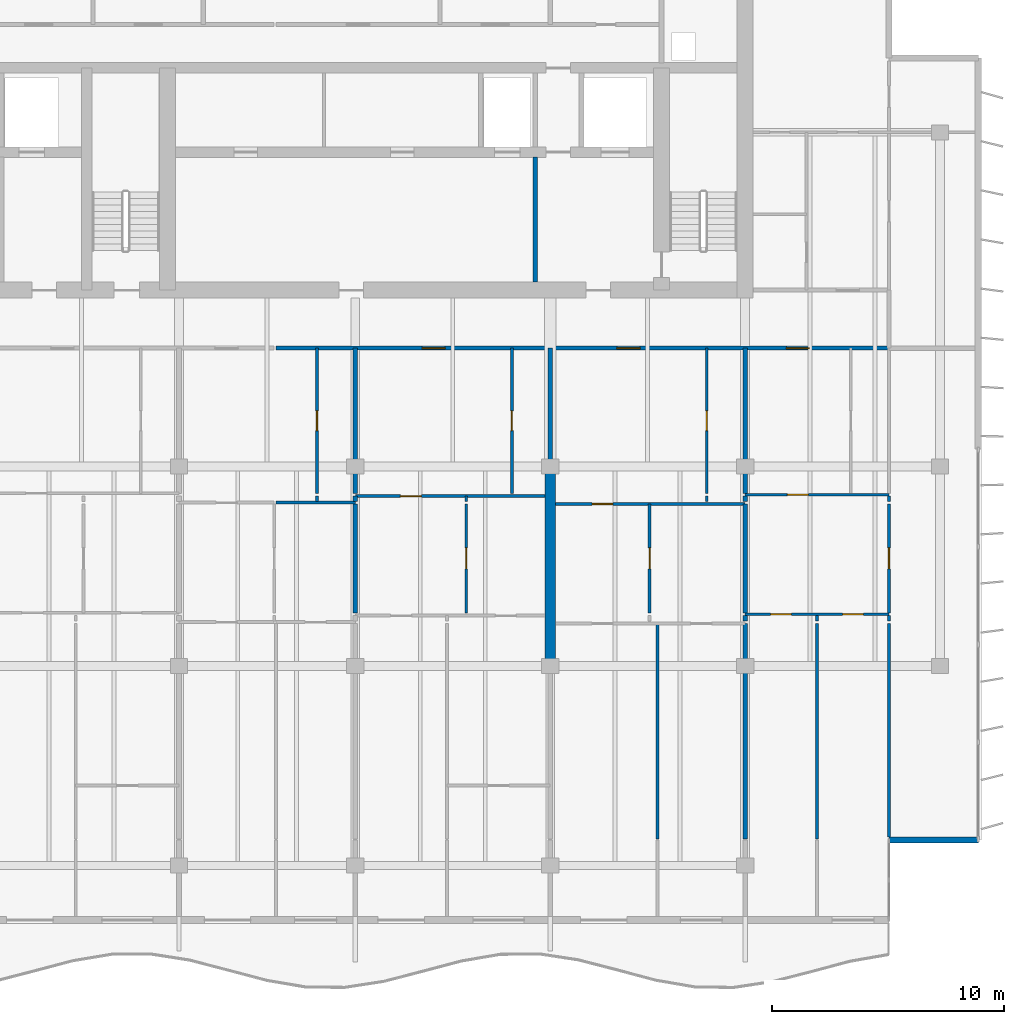
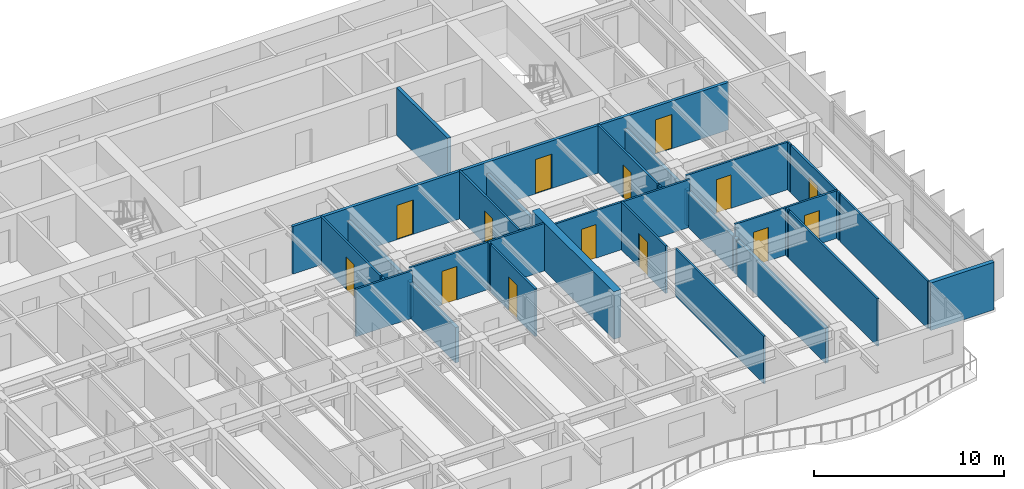
# One storey, part 9 of 17: 33 walls, 14 doors, 14 openings.
"""IFC4 building model written with IfcOpenShell, lengths in metres."""

from ifc_helpers import new_model, si_unit, direction, frame, frame_2d, origin, place, context, subcontext, project, spatial, rectangle, extrude, material, layer, layer_set, type_object, element, fill, save


model = new_model("IFC4")

# Units and contexts
model_context = context("Model", 3, precision=1e-05, world=origin(), true_north=direction((0.0, 1.0)))
body_context = subcontext(model_context, "Body", "Model", "MODEL_VIEW")
ifc_project = project(units=[si_unit("LENGTHUNIT", "METRE"), si_unit("AREAUNIT", "SQUARE_METRE"), si_unit("VOLUMEUNIT", "CUBIC_METRE"), si_unit("PLANEANGLEUNIT", "RADIAN"), si_unit("MASSUNIT", "GRAM", prefix="KILO")], contexts=[model_context])

# Site, building, storey
site_placement = place(None, origin())
site = spatial("IfcSite", under=ifc_project, at=site_placement, CompositionType="ELEMENT")
building_placement = place(site_placement, origin())
building = spatial("IfcBuilding", under=site, at=building_placement, Name="Caelmar Bay Residences", CompositionType="ELEMENT")
storey_placement = place(building_placement, frame((0.0, 0.0, 229.800048828125)))
storey = spatial("IfcBuildingStorey", under=building, at=storey_placement, Name="L64", CompositionType="ELEMENT", Elevation=229.800048828125)

# Wall
ifc_material_1 = material(Name="Concrete f'c 55 MPa (8,000 psi)", Category="concrete")
ifc_layer_1 = layer(ifc_material_1, 0.449951171875)
ifc_layer_set_1 = layer_set([ifc_layer_1], Name="Concrete f'c 55 MPa (8,000 psi)")
wall_type_1 = type_object("IfcWallType", Name="SW-XSLB-450", PredefinedType="SHEAR", material=ifc_layer_set_1)
wall_1_placement = place(storey_placement, frame((51.10009765625, 20.800048828125, 0.0), z_axis=(0.0, 0.0, 1.0), x_axis=(0.0, 1.0, 0.0)))
element("IfcWall", 1, at=wall_1_placement, inside=storey, type_object=wall_type_1, Name="L64 Transverse Cross-Slab Shear Wall E8", PredefinedType="SHEAR", context=body_context, shape_type="SweptSolid", body=[
    extrude(rectangle(XDim=8.599853515625, YDim=0.449951171875, at=frame_2d((4.2998046875, 0.0))), origin(), (0.0, 0.0, 1.0), 3.050048828125),
])

# Wall, openings, doors
ifc_material_2 = material(Name="Double-stud acoustic fire-rated gypsum partition 180 mm")
ifc_layer_2 = layer(ifc_material_2, 0.179931640625)
ifc_layer_set_2 = layer_set([ifc_layer_2], Name="Double-stud acoustic fire-rated gypsum partition 180 mm")
wall_type_2 = type_object("IfcWallType", Name="W-COR-200", PredefinedType="PARTITIONING", material=ifc_layer_set_2)
wall_2_placement = place(storey_placement, frame((39.280029296875, 34.5, 0.0), z_axis=(0.0, 0.0, 1.0), x_axis=(1.0, 0.0, 0.0)))
wall_2 = element("IfcWall", 2, at=wall_2_placement, inside=storey, type_object=wall_type_2, Name="L64 Partition Wall H123", PredefinedType="PARTITIONING", context=body_context, shape_type="SweptSolid", body=[
    extrude(rectangle(XDim=26.419921875, YDim=0.179931640625, at=frame_2d((13.2099609375, 0.0))), origin(), (0.0, 0.0, 1.0), 3.050048828125),
])
opening_1_placement = place(wall_2_placement, frame((6.294921875, 0.0, 0.0)))
opening_1 = element("IfcOpeningElement", 3, at=opening_1_placement, cuts=wall_2, Name="Opening D-L64-149", PredefinedType="OPENING", context=body_context, shape_type="SweptSolid", body=[
    extrude(rectangle(XDim=1.0, YDim=2.199951171875, at=frame_2d((0.5, 1.10009765625))), frame((0.0, 0.099853515625, 0.0), z_axis=(0.0, -1.0, 0.0), x_axis=(1.0, 0.0, 0.0)), (0.0, 0.0, 1.0), 0.199951171875),
])
opening_2_placement = place(wall_2_placement, frame((14.695068359375, 0.0, 0.0)))
opening_2 = element("IfcOpeningElement", 4, at=opening_2_placement, cuts=wall_2, Name="Opening D-L64-156", PredefinedType="OPENING", context=body_context, shape_type="SweptSolid", body=[
    extrude(rectangle(XDim=1.0, YDim=2.199951171875, at=frame_2d((0.5, 1.10009765625))), frame((0.0, 0.099853515625, 0.0), z_axis=(0.0, -1.0, 0.0), x_axis=(1.0, 0.0, 0.0)), (0.0, 0.0, 1.0), 0.199951171875),
])
opening_3_placement = place(wall_2_placement, frame((21.9951171875, 0.0, 0.0)))
opening_3 = element("IfcOpeningElement", 5, at=opening_3_placement, cuts=wall_2, Name="Opening D-L64-162", PredefinedType="OPENING", context=body_context, shape_type="SweptSolid", body=[
    extrude(rectangle(XDim=1.0, YDim=2.199951171875, at=frame_2d((0.5, 1.10009765625))), frame((0.0, 0.099853515625, 0.0), z_axis=(0.0, -1.0, 0.0), x_axis=(1.0, 0.0, 0.0)), (0.0, 0.0, 1.0), 0.199951171875),
])
ifc_material_3 = material(Name="Fire-rated steel and walnut architectural door assembly", Category="steel")
ifc_layer_3 = layer(ifc_material_3, 0.050048828125)
ifc_layer_set_3 = layer_set([ifc_layer_3], Name="Fire-rated steel and walnut architectural door assembly")
door_type_1 = type_object("IfcDoorType", Name="D-UNIT-1000", OperationType="NOTDEFINED", PredefinedType="DOOR", material=ifc_layer_set_3)
door_1_placement = place(opening_1_placement, origin())
door_1 = element("IfcDoor", 6, at=door_1_placement, inside=storey, type_object=door_type_1, Name="L64 Residence 05 Apartment Hall Door", OperationType="SINGLE_SWING_RIGHT", OverallHeight=2.199951171875, OverallWidth=1.0, PredefinedType="DOOR", context=body_context, shape_type="SweptSolid", body=[
    extrude(rectangle(XDim=1.0, YDim=2.199951171875, at=frame_2d((0.5, 1.10009765625))), frame((0.0, 0.02490234375, 0.0), z_axis=(0.0, -1.0, 0.0), x_axis=(1.0, 0.0, 0.0)), (0.0, 0.0, 1.0), 0.050048828125),
])
fill(opening_1, door_1)
door_2_placement = place(opening_2_placement, origin())
door_2 = element("IfcDoor", 7, at=door_2_placement, inside=storey, type_object=door_type_1, Name="L64 Residence 06 Apartment Hall Door", OperationType="SINGLE_SWING_LEFT", OverallHeight=2.199951171875, OverallWidth=1.0, PredefinedType="DOOR", context=body_context, shape_type="SweptSolid", body=[
    extrude(rectangle(XDim=1.0, YDim=2.199951171875, at=frame_2d((0.5, 1.10009765625))), frame((0.0, 0.02490234375, 0.0), z_axis=(0.0, -1.0, 0.0), x_axis=(1.0, 0.0, 0.0)), (0.0, 0.0, 1.0), 0.050048828125),
])
fill(opening_2, door_2)
door_3_placement = place(opening_3_placement, origin())
door_3 = element("IfcDoor", 8, at=door_3_placement, inside=storey, type_object=door_type_1, Name="L64 Residence 07 Apartment Hall Door", OperationType="SINGLE_SWING_LEFT", OverallHeight=2.199951171875, OverallWidth=1.0, PredefinedType="DOOR", context=body_context, shape_type="SweptSolid", body=[
    extrude(rectangle(XDim=1.0, YDim=2.199951171875, at=frame_2d((0.5, 1.10009765625))), frame((0.0, 0.02490234375, 0.0), z_axis=(0.0, -1.0, 0.0), x_axis=(1.0, 0.0, 0.0)), (0.0, 0.0, 1.0), 0.050048828125),
])
fill(opening_3, door_3)

# Walls
ifc_material_4 = material(Name="Precast concrete f'c 40 MPa (6,000 psi)", Category="concrete")
ifc_layer_4 = layer(ifc_material_4, 0.25)
ifc_layer_set_4 = layer_set([ifc_layer_4], Name="Precast concrete f'c 40 MPa (6,000 psi)")
wall_type_3 = type_object("IfcWallType", Name="W-EXT-250", PredefinedType="ELEMENTEDWALL", material=ifc_layer_set_4)
wall_3_placement = place(storey_placement, frame((65.699951171875, 13.300048828125, 0.0), z_axis=(0.0, 0.0, 1.0), x_axis=(1.0, 0.0, 0.0)))
element("IfcWall", 9, at=wall_3_placement, inside=storey, type_object=wall_type_3, Name="L64 SE Notch Return Wall", PredefinedType="ELEMENTEDWALL", context=body_context, shape_type="SweptSolid", body=[
    extrude(rectangle(XDim=3.85009765625, YDim=0.25, at=frame_2d((1.925048828125, 0.0))), origin(), (0.0, 0.0, 1.0), 3.050048828125),
])
ifc_material_5 = material(Name="Fire-rated masonry and gypsum shaftliner assembly 200 mm", Category="masonry")
ifc_layer_5 = layer(ifc_material_5, 0.199951171875)
ifc_layer_set_5 = layer_set([ifc_layer_5], Name="Fire-rated masonry and gypsum shaftliner assembly 200 mm")
wall_type_4 = type_object("IfcWallType", Name="W-FSAE-200", PredefinedType="PARTITIONING", material=ifc_layer_set_5)
wall_4_placement = place(storey_placement, frame((50.449951171875, 37.344970703125, 0.0), z_axis=(0.0, 0.0, 1.0), x_axis=(0.0, 1.0, 0.0)))
element("IfcWall", 10, at=wall_4_placement, inside=storey, type_object=wall_type_4, Name="L64 Partition Wall V070", PredefinedType="PARTITIONING", context=body_context, shape_type="SweptSolid", body=[
    extrude(rectangle(XDim=5.385009765625, YDim=0.199951171875, at=frame_2d((2.6923828125, 0.0))), origin(), (0.0, 0.0, 1.0), 3.050048828125),
])
ifc_material_6 = material(Name="Acoustic metal-stud gypsum partition 120 mm")
ifc_layer_6 = layer(ifc_material_6, 0.1201171875)
ifc_layer_set_6 = layer_set([ifc_layer_6], Name="Acoustic metal-stud gypsum partition 120 mm")
wall_type_5 = type_object("IfcWallType", Name="W-PRT-120", PredefinedType="PARTITIONING", material=ifc_layer_set_6)
wall_5_placement = place(storey_placement, frame((41.050048828125, 27.8798828125, 0.0), z_axis=(0.0, 0.0, 1.0), x_axis=(0.0, 1.0, 0.0)))
element("IfcWall", 11, at=wall_5_placement, inside=storey, type_object=wall_type_5, Name="L64 Partition Wall V053", PredefinedType="PARTITIONING", context=body_context, shape_type="SweptSolid", body=[
    extrude(rectangle(XDim=0.240234375, YDim=0.1201171875, at=frame_2d((0.1201171875, 0.0))), origin(), (0.0, 0.0, 1.0), 3.050048828125),
])

# Wall, opening, door
wall_6_placement = place(storey_placement, frame((41.050048828125, 28.239990234375, 0.0), z_axis=(0.0, 0.0, 1.0), x_axis=(0.0, 1.0, 0.0)))
wall_6 = element("IfcWall", 12, at=wall_6_placement, inside=storey, type_object=wall_type_5, Name="L64 Partition Wall V054", PredefinedType="PARTITIONING", context=body_context, shape_type="SweptSolid", body=[
    extrude(rectangle(XDim=6.260009765625, YDim=0.1201171875, at=frame_2d((3.1298828125, 0.0))), origin(), (0.0, 0.0, 1.0), 3.050048828125),
])
opening_4_placement = place(wall_6_placement, frame((2.705078125, 0.0, 0.0)))
opening_4 = element("IfcOpeningElement", 13, at=opening_4_placement, cuts=wall_6, Name="Opening D-L64-144", PredefinedType="OPENING", context=body_context, shape_type="SweptSolid", body=[
    extrude(rectangle(XDim=0.85009765625, YDim=2.10009765625, at=frame_2d((0.425048828125, 1.050048828125))), frame((0.0, 0.070068359375, 0.0), z_axis=(0.0, -1.0, 0.0), x_axis=(1.0, 0.0, 0.0)), (0.0, 0.0, 1.0), 0.14013671875),
])
ifc_material_7 = material(Name="Solid walnut timber interior door leaf and frame", Category="wood")
ifc_layer_7 = layer(ifc_material_7, 0.050048828125)
ifc_layer_set_7 = layer_set([ifc_layer_7], Name="Solid walnut timber interior door leaf and frame")
door_type_2 = type_object("IfcDoorType", Name="D-BATH-850", OperationType="NOTDEFINED", PredefinedType="DOOR", material=ifc_layer_set_7)
door_4_placement = place(opening_4_placement, origin())
door_4 = element("IfcDoor", 14, at=door_4_placement, inside=storey, type_object=door_type_2, Name="L64 Residence 04 Bathroom Door", OperationType="SINGLE_SWING_LEFT", OverallHeight=2.10009765625, OverallWidth=0.85009765625, PredefinedType="DOOR", context=body_context, shape_type="SweptSolid", body=[
    extrude(rectangle(XDim=0.85009765625, YDim=2.10009765625, at=frame_2d((0.425048828125, 1.050048828125))), frame((0.0, 0.02490234375, 0.0), z_axis=(0.0, -1.0, 0.0), x_axis=(1.0, 0.0, 0.0)), (0.0, 0.0, 1.0), 0.050048828125),
])
fill(opening_4, door_4)

wall_7_placement = place(storey_placement, frame((47.486083984375, 23.090087890625, 0.0), z_axis=(0.0, 0.0, 1.0), x_axis=(0.0, 1.0, 0.0)))
wall_7 = element("IfcWall", 15, at=wall_7_placement, inside=storey, type_object=wall_type_5, Name="L64 Partition Wall V066", PredefinedType="PARTITIONING", context=body_context, shape_type="SweptSolid", body=[
    extrude(rectangle(XDim=4.68994140625, YDim=0.1201171875, at=frame_2d((2.344970703125, 0.0))), origin(), (0.0, 0.0, 1.0), 3.050048828125),
])
opening_5_placement = place(wall_7_placement, frame((1.89501953125, 0.0, 0.0)))
opening_5 = element("IfcOpeningElement", 16, at=opening_5_placement, cuts=wall_7, Name="Opening D-L64-152", PredefinedType="OPENING", context=body_context, shape_type="SweptSolid", body=[
    extrude(rectangle(XDim=0.89990234375, YDim=2.14990234375, at=frame_2d((0.449951171875, 1.074951171875))), frame((0.0, 0.070068359375, 0.0), z_axis=(0.0, -1.0, 0.0), x_axis=(1.0, 0.0, 0.0)), (0.0, 0.0, 1.0), 0.14013671875),
])
ifc_layer_8 = layer(ifc_material_7, 0.050048828125)
ifc_layer_set_8 = layer_set([ifc_layer_8], Name="Solid walnut timber interior door leaf and frame")
door_type_3 = type_object("IfcDoorType", Name="D-ROOM-900", OperationType="NOTDEFINED", PredefinedType="DOOR", material=ifc_layer_set_8)
door_5_placement = place(opening_5_placement, origin())
door_5 = element("IfcDoor", 17, at=door_5_placement, inside=storey, type_object=door_type_3, Name="L64 Residence 05 Study Door", OperationType="SINGLE_SWING_LEFT", OverallHeight=2.14990234375, OverallWidth=0.89990234375, PredefinedType="DOOR", context=body_context, shape_type="SweptSolid", body=[
    extrude(rectangle(XDim=0.89990234375, YDim=2.14990234375, at=frame_2d((0.449951171875, 1.074951171875))), frame((0.0, 0.02490234375, 0.0), z_axis=(0.0, -1.0, 0.0), x_axis=(1.0, 0.0, 0.0)), (0.0, 0.0, 1.0), 0.050048828125),
])
fill(opening_5, door_5)

# Wall
wall_8_placement = place(storey_placement, frame((47.486083984375, 27.8798828125, 0.0), z_axis=(0.0, 0.0, 1.0), x_axis=(0.0, 1.0, 0.0)))
element("IfcWall", 18, at=wall_8_placement, inside=storey, type_object=wall_type_5, Name="L64 Partition Wall V067", PredefinedType="PARTITIONING", context=body_context, shape_type="SweptSolid", body=[
    extrude(rectangle(XDim=0.240234375, YDim=0.1201171875, at=frame_2d((0.1201171875, 0.0))), origin(), (0.0, 0.0, 1.0), 3.050048828125),
])

# Wall, opening, door
wall_9_placement = place(storey_placement, frame((49.449951171875, 28.239990234375, 0.0), z_axis=(0.0, 0.0, 1.0), x_axis=(0.0, 1.0, 0.0)))
wall_9 = element("IfcWall", 19, at=wall_9_placement, inside=storey, type_object=wall_type_5, Name="L64 Partition Wall V069", PredefinedType="PARTITIONING", context=body_context, shape_type="SweptSolid", body=[
    extrude(rectangle(XDim=6.260009765625, YDim=0.1201171875, at=frame_2d((3.1298828125, 0.0))), origin(), (0.0, 0.0, 1.0), 3.050048828125),
])
opening_6_placement = place(wall_9_placement, frame((2.705078125, 0.0, 0.0)))
opening_6 = element("IfcOpeningElement", 20, at=opening_6_placement, cuts=wall_9, Name="Opening D-L64-150", PredefinedType="OPENING", context=body_context, shape_type="SweptSolid", body=[
    extrude(rectangle(XDim=0.85009765625, YDim=2.10009765625, at=frame_2d((0.425048828125, 1.050048828125))), frame((0.0, 0.070068359375, 0.0), z_axis=(0.0, -1.0, 0.0), x_axis=(1.0, 0.0, 0.0)), (0.0, 0.0, 1.0), 0.14013671875),
])
door_6_placement = place(opening_6_placement, origin())
door_6 = element("IfcDoor", 21, at=door_6_placement, inside=storey, type_object=door_type_2, Name="L64 Residence 05 Bathroom Door", OperationType="SINGLE_SWING_LEFT", OverallHeight=2.10009765625, OverallWidth=0.85009765625, PredefinedType="DOOR", context=body_context, shape_type="SweptSolid", body=[
    extrude(rectangle(XDim=0.85009765625, YDim=2.10009765625, at=frame_2d((0.425048828125, 1.050048828125))), frame((0.0, 0.02490234375, 0.0), z_axis=(0.0, -1.0, 0.0), x_axis=(1.0, 0.0, 0.0)), (0.0, 0.0, 1.0), 0.050048828125),
])
fill(opening_6, door_6)

wall_10_placement = place(storey_placement, frame((55.385986328125, 23.090087890625, 0.0), z_axis=(0.0, 0.0, 1.0), x_axis=(0.0, 1.0, 0.0)))
wall_10 = element("IfcWall", 22, at=wall_10_placement, inside=storey, type_object=wall_type_5, Name="L64 Partition Wall V078", PredefinedType="PARTITIONING", context=body_context, shape_type="SweptSolid", body=[
    extrude(rectangle(XDim=4.68994140625, YDim=0.1201171875, at=frame_2d((2.344970703125, 0.0))), origin(), (0.0, 0.0, 1.0), 3.050048828125),
])
opening_7_placement = place(wall_10_placement, frame((1.89501953125, 0.0, 0.0)))
opening_7 = element("IfcOpeningElement", 23, at=opening_7_placement, cuts=wall_10, Name="Opening D-L64-159", PredefinedType="OPENING", context=body_context, shape_type="SweptSolid", body=[
    extrude(rectangle(XDim=0.89990234375, YDim=2.14990234375, at=frame_2d((0.449951171875, 1.074951171875))), frame((0.0, 0.070068359375, 0.0), z_axis=(0.0, -1.0, 0.0), x_axis=(1.0, 0.0, 0.0)), (0.0, 0.0, 1.0), 0.14013671875),
])
door_7_placement = place(opening_7_placement, origin())
door_7 = element("IfcDoor", 24, at=door_7_placement, inside=storey, type_object=door_type_3, Name="L64 Residence 06 Study Door", OperationType="SINGLE_SWING_RIGHT", OverallHeight=2.14990234375, OverallWidth=0.89990234375, PredefinedType="DOOR", context=body_context, shape_type="SweptSolid", body=[
    extrude(rectangle(XDim=0.89990234375, YDim=2.14990234375, at=frame_2d((0.449951171875, 1.074951171875))), frame((0.0, 0.02490234375, 0.0), z_axis=(0.0, -1.0, 0.0), x_axis=(1.0, 0.0, 0.0)), (0.0, 0.0, 1.0), 0.050048828125),
])
fill(opening_7, door_7)

# Walls
wall_11_placement = place(storey_placement, frame((55.719970703125, 13.340087890625, 0.0), z_axis=(0.0, 0.0, 1.0), x_axis=(0.0, 1.0, 0.0)))
element("IfcWall", 25, at=wall_11_placement, inside=storey, type_object=wall_type_5, Name="L64 Partition Wall V080", PredefinedType="PARTITIONING", context=body_context, shape_type="SweptSolid", body=[
    extrude(rectangle(XDim=9.289794921875, YDim=0.1201171875, at=frame_2d((4.64501953125, 0.0))), origin(), (0.0, 0.0, 1.0), 3.050048828125),
])
wall_12_placement = place(storey_placement, frame((57.85009765625, 27.8798828125, 0.0), z_axis=(0.0, 0.0, 1.0), x_axis=(0.0, 1.0, 0.0)))
element("IfcWall", 26, at=wall_12_placement, inside=storey, type_object=wall_type_5, Name="L64 Partition Wall V082", PredefinedType="PARTITIONING", context=body_context, shape_type="SweptSolid", body=[
    extrude(rectangle(XDim=0.240234375, YDim=0.1201171875, at=frame_2d((0.1201171875, 0.0))), origin(), (0.0, 0.0, 1.0), 3.050048828125),
])

# Wall, opening, door
wall_13_placement = place(storey_placement, frame((57.85009765625, 28.239990234375, 0.0), z_axis=(0.0, 0.0, 1.0), x_axis=(0.0, 1.0, 0.0)))
wall_13 = element("IfcWall", 27, at=wall_13_placement, inside=storey, type_object=wall_type_5, Name="L64 Partition Wall V083", PredefinedType="PARTITIONING", context=body_context, shape_type="SweptSolid", body=[
    extrude(rectangle(XDim=6.260009765625, YDim=0.1201171875, at=frame_2d((3.1298828125, 0.0))), origin(), (0.0, 0.0, 1.0), 3.050048828125),
])
opening_8_placement = place(wall_13_placement, frame((2.705078125, 0.0, 0.0)))
opening_8 = element("IfcOpeningElement", 28, at=opening_8_placement, cuts=wall_13, Name="Opening D-L64-157", PredefinedType="OPENING", context=body_context, shape_type="SweptSolid", body=[
    extrude(rectangle(XDim=0.85009765625, YDim=2.10009765625, at=frame_2d((0.425048828125, 1.050048828125))), frame((0.0, 0.070068359375, 0.0), z_axis=(0.0, -1.0, 0.0), x_axis=(1.0, 0.0, 0.0)), (0.0, 0.0, 1.0), 0.14013671875),
])
door_8_placement = place(opening_8_placement, origin())
door_8 = element("IfcDoor", 29, at=door_8_placement, inside=storey, type_object=door_type_2, Name="L64 Residence 06 Bathroom Door", OperationType="SINGLE_SWING_RIGHT", OverallHeight=2.10009765625, OverallWidth=0.85009765625, PredefinedType="DOOR", context=body_context, shape_type="SweptSolid", body=[
    extrude(rectangle(XDim=0.85009765625, YDim=2.10009765625, at=frame_2d((0.425048828125, 1.050048828125))), frame((0.0, 0.02490234375, 0.0), z_axis=(0.0, -1.0, 0.0), x_axis=(1.0, 0.0, 0.0)), (0.0, 0.0, 1.0), 0.050048828125),
])
fill(opening_8, door_8)

# Walls
wall_14_placement = place(storey_placement, frame((62.60009765625, 13.340087890625, 0.0), z_axis=(0.0, 0.0, 1.0), x_axis=(0.0, 1.0, 0.0)))
element("IfcWall", 30, at=wall_14_placement, inside=storey, type_object=wall_type_5, Name="L64 Partition Wall V092", PredefinedType="PARTITIONING", context=body_context, shape_type="SweptSolid", body=[
    extrude(rectangle(XDim=9.289794921875, YDim=0.1201171875, at=frame_2d((4.64501953125, 0.0))), origin(), (0.0, 0.0, 1.0), 3.050048828125),
])
wall_15_placement = place(storey_placement, frame((62.60009765625, 22.72998046875, 0.0), z_axis=(0.0, 0.0, 1.0), x_axis=(0.0, 1.0, 0.0)))
element("IfcWall", 31, at=wall_15_placement, inside=storey, type_object=wall_type_5, Name="L64 Partition Wall V093", PredefinedType="PARTITIONING", context=body_context, shape_type="SweptSolid", body=[
    extrude(rectangle(XDim=0.239990234375, YDim=0.1201171875, at=frame_2d((0.1201171875, 0.0))), origin(), (0.0, 0.0, 1.0), 3.050048828125),
])
wall_16_placement = place(storey_placement, frame((65.699951171875, 13.419921875, 0.0), z_axis=(0.0, 0.0, 1.0), x_axis=(0.0, 1.0, 0.0)))
element("IfcWall", 32, at=wall_16_placement, inside=storey, type_object=wall_type_5, Name="L64 Partition Wall V095", PredefinedType="PARTITIONING", context=body_context, shape_type="SweptSolid", body=[
    extrude(rectangle(XDim=9.2099609375, YDim=0.1201171875, at=frame_2d((4.60498046875, 0.0))), origin(), (0.0, 0.0, 1.0), 3.050048828125),
])
wall_17_placement = place(storey_placement, frame((65.699951171875, 22.72998046875, 0.0), z_axis=(0.0, 0.0, 1.0), x_axis=(0.0, 1.0, 0.0)))
element("IfcWall", 33, at=wall_17_placement, inside=storey, type_object=wall_type_5, Name="L64 Partition Wall V096", PredefinedType="PARTITIONING", context=body_context, shape_type="SweptSolid", body=[
    extrude(rectangle(XDim=0.239990234375, YDim=0.1201171875, at=frame_2d((0.1201171875, 0.0))), origin(), (0.0, 0.0, 1.0), 3.050048828125),
])

# Wall, opening, door
wall_18_placement = place(storey_placement, frame((65.699951171875, 23.090087890625, 0.0), z_axis=(0.0, 0.0, 1.0), x_axis=(0.0, 1.0, 0.0)))
wall_18 = element("IfcWall", 34, at=wall_18_placement, inside=storey, type_object=wall_type_5, Name="L64 Partition Wall V097", PredefinedType="PARTITIONING", context=body_context, shape_type="SweptSolid", body=[
    extrude(rectangle(XDim=4.68994140625, YDim=0.1201171875, at=frame_2d((2.344970703125, 0.0))), origin(), (0.0, 0.0, 1.0), 3.050048828125),
])
opening_9_placement = place(wall_18_placement, frame((1.89501953125, 0.0, 0.0)))
opening_9 = element("IfcOpeningElement", 35, at=opening_9_placement, cuts=wall_18, Name="Opening D-L64-168", PredefinedType="OPENING", context=body_context, shape_type="SweptSolid", body=[
    extrude(rectangle(XDim=0.89990234375, YDim=2.14990234375, at=frame_2d((0.449951171875, 1.074951171875))), frame((0.0, 0.070068359375, 0.0), z_axis=(0.0, -1.0, 0.0), x_axis=(1.0, 0.0, 0.0)), (0.0, 0.0, 1.0), 0.14013671875),
])
door_9_placement = place(opening_9_placement, origin())
door_9 = element("IfcDoor", 36, at=door_9_placement, inside=storey, type_object=door_type_3, Name="L64 Residence 07 Penthouse East Salon Door", OperationType="SINGLE_SWING_LEFT", OverallHeight=2.14990234375, OverallWidth=0.89990234375, PredefinedType="DOOR", context=body_context, shape_type="SweptSolid", body=[
    extrude(rectangle(XDim=0.89990234375, YDim=2.14990234375, at=frame_2d((0.449951171875, 1.074951171875))), frame((0.0, 0.02490234375, 0.0), z_axis=(0.0, -1.0, 0.0), x_axis=(1.0, 0.0, 0.0)), (0.0, 0.0, 1.0), 0.050048828125),
])
fill(opening_9, door_9)

# Wall
wall_19_placement = place(storey_placement, frame((65.699951171875, 27.8798828125, 0.0), z_axis=(0.0, 0.0, 1.0), x_axis=(0.0, 1.0, 0.0)))
element("IfcWall", 37, at=wall_19_placement, inside=storey, type_object=wall_type_5, Name="L64 Partition Wall V098", PredefinedType="PARTITIONING", context=body_context, shape_type="SweptSolid", body=[
    extrude(rectangle(XDim=0.240234375, YDim=0.1201171875, at=frame_2d((0.1201171875, 0.0))), origin(), (0.0, 0.0, 1.0), 3.050048828125),
])

# Wall, openings, doors
wall_20_placement = place(storey_placement, frame((59.5, 23.030029296875, 0.0), z_axis=(0.0, 0.0, 1.0), x_axis=(1.0, 0.0, 0.0)))
wall_20 = element("IfcWall", 38, at=wall_20_placement, inside=storey, type_object=wall_type_5, Name="L64 Partition Wall H110", PredefinedType="PARTITIONING", context=body_context, shape_type="SweptSolid", body=[
    extrude(rectangle(XDim=6.199951171875, YDim=0.1201171875, at=frame_2d((3.10009765625, 0.0))), origin(), (0.0, 0.0, 1.0), 3.050048828125),
])
opening_10_placement = place(wall_20_placement, frame((1.10009765625, 0.0, 0.0)))
opening_10 = element("IfcOpeningElement", 39, at=opening_10_placement, cuts=wall_20, Name="Opening D-L64-165", PredefinedType="OPENING", context=body_context, shape_type="SweptSolid", body=[
    extrude(rectangle(XDim=0.89990234375, YDim=2.14990234375, at=frame_2d((0.449951171875, 1.074951171875))), frame((0.0, 0.070068359375, 0.0), z_axis=(0.0, -1.0, 0.0), x_axis=(1.0, 0.0, 0.0)), (0.0, 0.0, 1.0), 0.14013671875),
])
opening_11_placement = place(wall_20_placement, frame((4.199951171875, 0.0, 0.0)))
opening_11 = element("IfcOpeningElement", 40, at=opening_11_placement, cuts=wall_20, Name="Opening D-L64-166", PredefinedType="OPENING", context=body_context, shape_type="SweptSolid", body=[
    extrude(rectangle(XDim=0.89990234375, YDim=2.14990234375, at=frame_2d((0.449951171875, 1.074951171875))), frame((0.0, 0.070068359375, 0.0), z_axis=(0.0, -1.0, 0.0), x_axis=(1.0, 0.0, 0.0)), (0.0, 0.0, 1.0), 0.14013671875),
])
door_10_placement = place(opening_10_placement, origin())
door_10 = element("IfcDoor", 41, at=door_10_placement, inside=storey, type_object=door_type_3, Name="L64 Residence 07 Living Room Door", OperationType="SINGLE_SWING_RIGHT", OverallHeight=2.14990234375, OverallWidth=0.89990234375, PredefinedType="DOOR", context=body_context, shape_type="SweptSolid", body=[
    extrude(rectangle(XDim=0.89990234375, YDim=2.14990234375, at=frame_2d((0.449951171875, 1.074951171875))), frame((0.0, 0.02490234375, 0.0), z_axis=(0.0, -1.0, 0.0), x_axis=(1.0, 0.0, 0.0)), (0.0, 0.0, 1.0), 0.050048828125),
])
fill(opening_10, door_10)
door_11_placement = place(opening_11_placement, origin())
door_11 = element("IfcDoor", 42, at=door_11_placement, inside=storey, type_object=door_type_3, Name="L64 Residence 07 Primary Bedroom Door", OperationType="SINGLE_SWING_LEFT", OverallHeight=2.14990234375, OverallWidth=0.89990234375, PredefinedType="DOOR", context=body_context, shape_type="SweptSolid", body=[
    extrude(rectangle(XDim=0.89990234375, YDim=2.14990234375, at=frame_2d((0.449951171875, 1.074951171875))), frame((0.0, 0.02490234375, 0.0), z_axis=(0.0, -1.0, 0.0), x_axis=(1.0, 0.0, 0.0)), (0.0, 0.0, 1.0), 0.050048828125),
])
fill(opening_11, door_11)

# Wall, opening, door
wall_21_placement = place(storey_placement, frame((51.320068359375, 27.780029296875, 0.0), z_axis=(0.0, 0.0, 1.0), x_axis=(1.0, 0.0, 0.0)))
wall_21 = element("IfcWall", 43, at=wall_21_placement, inside=storey, type_object=wall_type_5, Name="L64 Partition Wall H112", PredefinedType="PARTITIONING", context=body_context, shape_type="SweptSolid", body=[
    extrude(rectangle(XDim=8.179931640625, YDim=0.1201171875, at=frame_2d((4.08984375, 0.0))), origin(), (0.0, 0.0, 1.0), 3.050048828125),
])
opening_12_placement = place(wall_21_placement, frame((1.5830078125, 0.0, 0.0)))
opening_12 = element("IfcOpeningElement", 44, at=opening_12_placement, cuts=wall_21, Name="Opening D-L64-158", PredefinedType="OPENING", context=body_context, shape_type="SweptSolid", body=[
    extrude(rectangle(XDim=0.89990234375, YDim=2.14990234375, at=frame_2d((0.449951171875, 1.074951171875))), frame((0.0, 0.070068359375, 0.0), z_axis=(0.0, -1.0, 0.0), x_axis=(1.0, 0.0, 0.0)), (0.0, 0.0, 1.0), 0.14013671875),
])
door_12_placement = place(opening_12_placement, origin())
door_12 = element("IfcDoor", 45, at=door_12_placement, inside=storey, type_object=door_type_3, Name="L64 Residence 06 Kitchen Door", OperationType="SINGLE_SWING_LEFT", OverallHeight=2.14990234375, OverallWidth=0.89990234375, PredefinedType="DOOR", context=body_context, shape_type="SweptSolid", body=[
    extrude(rectangle(XDim=0.89990234375, YDim=2.14990234375, at=frame_2d((0.449951171875, 1.074951171875))), frame((0.0, 0.02490234375, 0.0), z_axis=(0.0, -1.0, 0.0), x_axis=(1.0, 0.0, 0.0)), (0.0, 0.0, 1.0), 0.050048828125),
])
fill(opening_12, door_12)

# Wall
wall_22_placement = place(storey_placement, frame((39.280029296875, 27.840087890625, 0.0), z_axis=(0.0, 0.0, 1.0), x_axis=(1.0, 0.0, 0.0)))
element("IfcWall", 46, at=wall_22_placement, inside=storey, type_object=wall_type_5, Name="L64 Partition Wall H114", PredefinedType="PARTITIONING", context=body_context, shape_type="SweptSolid", body=[
    extrude(rectangle(XDim=3.419921875, YDim=0.1201171875, at=frame_2d((1.7099609375, 0.0))), origin(), (0.0, 0.0, 1.0), 3.050048828125),
])

# Wall, opening, door
wall_23_placement = place(storey_placement, frame((42.699951171875, 28.1201171875, 0.0), z_axis=(0.0, 0.0, 1.0), x_axis=(1.0, 0.0, 0.0)))
wall_23 = element("IfcWall", 47, at=wall_23_placement, inside=storey, type_object=wall_type_5, Name="L64 Partition Wall H116", PredefinedType="PARTITIONING", context=body_context, shape_type="SweptSolid", body=[
    extrude(rectangle(XDim=8.179931640625, YDim=0.1201171875, at=frame_2d((4.08984375, 0.0))), origin(), (0.0, 0.0, 1.0), 3.050048828125),
])
opening_13_placement = place(wall_23_placement, frame((1.943115234375, 0.0, 0.0)))
opening_13 = element("IfcOpeningElement", 48, at=opening_13_placement, cuts=wall_23, Name="Opening D-L64-151", PredefinedType="OPENING", context=body_context, shape_type="SweptSolid", body=[
    extrude(rectangle(XDim=0.89990234375, YDim=2.14990234375, at=frame_2d((0.449951171875, 1.074951171875))), frame((0.0, 0.070068359375, 0.0), z_axis=(0.0, -1.0, 0.0), x_axis=(1.0, 0.0, 0.0)), (0.0, 0.0, 1.0), 0.14013671875),
])
door_13_placement = place(opening_13_placement, origin())
door_13 = element("IfcDoor", 49, at=door_13_placement, inside=storey, type_object=door_type_3, Name="L64 Residence 05 Kitchen Door", OperationType="SINGLE_SWING_RIGHT", OverallHeight=2.14990234375, OverallWidth=0.89990234375, PredefinedType="DOOR", context=body_context, shape_type="SweptSolid", body=[
    extrude(rectangle(XDim=0.89990234375, YDim=2.14990234375, at=frame_2d((0.449951171875, 1.074951171875))), frame((0.0, 0.02490234375, 0.0), z_axis=(0.0, -1.0, 0.0), x_axis=(1.0, 0.0, 0.0)), (0.0, 0.0, 1.0), 0.050048828125),
])
fill(opening_13, door_13)

wall_24_placement = place(storey_placement, frame((59.5, 28.179931640625, 0.0), z_axis=(0.0, 0.0, 1.0), x_axis=(1.0, 0.0, 0.0)))
wall_24 = element("IfcWall", 50, at=wall_24_placement, inside=storey, type_object=wall_type_5, Name="L64 Partition Wall H118", PredefinedType="PARTITIONING", context=body_context, shape_type="SweptSolid", body=[
    extrude(rectangle(XDim=6.199951171875, YDim=0.1201171875, at=frame_2d((3.10009765625, 0.0))), origin(), (0.0, 0.0, 1.0), 3.050048828125),
])
opening_14_placement = place(wall_24_placement, frame((1.824951171875, 0.0, 0.0)))
opening_14 = element("IfcOpeningElement", 51, at=opening_14_placement, cuts=wall_24, Name="Opening D-L64-164", PredefinedType="OPENING", context=body_context, shape_type="SweptSolid", body=[
    extrude(rectangle(XDim=0.89990234375, YDim=2.14990234375, at=frame_2d((0.449951171875, 1.074951171875))), frame((0.0, 0.070068359375, 0.0), z_axis=(0.0, -1.0, 0.0), x_axis=(1.0, 0.0, 0.0)), (0.0, 0.0, 1.0), 0.14013671875),
])
door_14_placement = place(opening_14_placement, origin())
door_14 = element("IfcDoor", 52, at=door_14_placement, inside=storey, type_object=door_type_3, Name="L64 Residence 07 Kitchen Door", OperationType="SINGLE_SWING_LEFT", OverallHeight=2.14990234375, OverallWidth=0.89990234375, PredefinedType="DOOR", context=body_context, shape_type="SweptSolid", body=[
    extrude(rectangle(XDim=0.89990234375, YDim=2.14990234375, at=frame_2d((0.449951171875, 1.074951171875))), frame((0.0, 0.02490234375, 0.0), z_axis=(0.0, -1.0, 0.0), x_axis=(1.0, 0.0, 0.0)), (0.0, 0.0, 1.0), 0.050048828125),
])
fill(opening_14, door_14)

# Walls
ifc_material_8 = material(Name="Acoustic twin-stud fire-rated inter-tenancy partition 200 mm")
ifc_layer_9 = layer(ifc_material_8, 0.199951171875)
ifc_layer_set_9 = layer_set([ifc_layer_9], Name="Acoustic twin-stud fire-rated inter-tenancy partition 200 mm")
wall_type_6 = type_object("IfcWallType", Name="W-PTY-200", PredefinedType="PARTITIONING", material=ifc_layer_set_9)
wall_25_placement = place(storey_placement, frame((42.699951171875, 23.090087890625, 0.0), z_axis=(0.0, 0.0, 1.0), x_axis=(0.0, 1.0, 0.0)))
element("IfcWall", 53, at=wall_25_placement, inside=storey, type_object=wall_type_6, Name="L64 Partition Wall V059", PredefinedType="PARTITIONING", context=body_context, shape_type="SweptSolid", body=[
    extrude(rectangle(XDim=4.68994140625, YDim=0.199951171875, at=frame_2d((2.344970703125, 0.0))), origin(), (0.0, 0.0, 1.0), 2.262939453125),
])
wall_26_placement = place(storey_placement, frame((42.699951171875, 27.8798828125, 0.0), z_axis=(0.0, 0.0, 1.0), x_axis=(0.0, 1.0, 0.0)))
element("IfcWall", 54, at=wall_26_placement, inside=storey, type_object=wall_type_6, Name="L64 Partition Wall V060", PredefinedType="PARTITIONING", context=body_context, shape_type="SweptSolid", body=[
    extrude(rectangle(XDim=0.240234375, YDim=0.199951171875, at=frame_2d((0.1201171875, 0.0))), origin(), (0.0, 0.0, 1.0), 2.262939453125),
])
wall_27_placement = place(storey_placement, frame((42.699951171875, 28.239990234375, 0.0), z_axis=(0.0, 0.0, 1.0), x_axis=(0.0, 1.0, 0.0)))
element("IfcWall", 55, at=wall_27_placement, inside=storey, type_object=wall_type_6, Name="L64 Partition Wall V061", PredefinedType="PARTITIONING", context=body_context, shape_type="SweptSolid", body=[
    extrude(rectangle(XDim=6.260009765625, YDim=0.199951171875, at=frame_2d((3.1298828125, 0.0))), origin(), (0.0, 0.0, 1.0), 2.262939453125),
])
wall_28_placement = place(storey_placement, frame((51.10009765625, 29.405029296875, 0.0), z_axis=(0.0, 0.0, 1.0), x_axis=(0.0, 1.0, 0.0)))
element("IfcWall", 56, at=wall_28_placement, inside=storey, type_object=wall_type_6, Name="L64 Partition Wall V074", PredefinedType="PARTITIONING", context=body_context, shape_type="SweptSolid", body=[
    extrude(rectangle(XDim=5.094970703125, YDim=0.199951171875, at=frame_2d((2.54736328125, 0.0))), origin(), (0.0, 0.0, 1.0), 2.3349609375),
])
wall_29_placement = place(storey_placement, frame((59.5, 13.340087890625, 0.0), z_axis=(0.0, 0.0, 1.0), x_axis=(0.0, 1.0, 0.0)))
element("IfcWall", 57, at=wall_29_placement, inside=storey, type_object=wall_type_6, Name="L64 Partition Wall V085", PredefinedType="PARTITIONING", context=body_context, shape_type="SweptSolid", body=[
    extrude(rectangle(XDim=9.289794921875, YDim=0.199951171875, at=frame_2d((4.64501953125, 0.0))), origin(), (0.0, 0.0, 1.0), 2.262939453125),
])
wall_30_placement = place(storey_placement, frame((59.5, 22.72998046875, 0.0), z_axis=(0.0, 0.0, 1.0), x_axis=(0.0, 1.0, 0.0)))
element("IfcWall", 58, at=wall_30_placement, inside=storey, type_object=wall_type_6, Name="L64 Partition Wall V086", PredefinedType="PARTITIONING", context=body_context, shape_type="SweptSolid", body=[
    extrude(rectangle(XDim=0.239990234375, YDim=0.199951171875, at=frame_2d((0.1201171875, 0.0))), origin(), (0.0, 0.0, 1.0), 2.262939453125),
])
wall_31_placement = place(storey_placement, frame((59.5, 23.090087890625, 0.0), z_axis=(0.0, 0.0, 1.0), x_axis=(0.0, 1.0, 0.0)))
element("IfcWall", 59, at=wall_31_placement, inside=storey, type_object=wall_type_6, Name="L64 Partition Wall V087", PredefinedType="PARTITIONING", context=body_context, shape_type="SweptSolid", body=[
    extrude(rectangle(XDim=4.68994140625, YDim=0.199951171875, at=frame_2d((2.344970703125, 0.0))), origin(), (0.0, 0.0, 1.0), 2.262939453125),
])
wall_32_placement = place(storey_placement, frame((59.5, 27.8798828125, 0.0), z_axis=(0.0, 0.0, 1.0), x_axis=(0.0, 1.0, 0.0)))
element("IfcWall", 60, at=wall_32_placement, inside=storey, type_object=wall_type_6, Name="L64 Partition Wall V088", PredefinedType="PARTITIONING", context=body_context, shape_type="SweptSolid", body=[
    extrude(rectangle(XDim=0.240234375, YDim=0.199951171875, at=frame_2d((0.1201171875, 0.0))), origin(), (0.0, 0.0, 1.0), 2.262939453125),
])
wall_33_placement = place(storey_placement, frame((59.5, 28.239990234375, 0.0), z_axis=(0.0, 0.0, 1.0), x_axis=(0.0, 1.0, 0.0)))
element("IfcWall", 61, at=wall_33_placement, inside=storey, type_object=wall_type_6, Name="L64 Partition Wall V089", PredefinedType="PARTITIONING", context=body_context, shape_type="SweptSolid", body=[
    extrude(rectangle(XDim=6.260009765625, YDim=0.199951171875, at=frame_2d((3.1298828125, 0.0))), origin(), (0.0, 0.0, 1.0), 2.262939453125),
])

save(model, "model.ifc")
